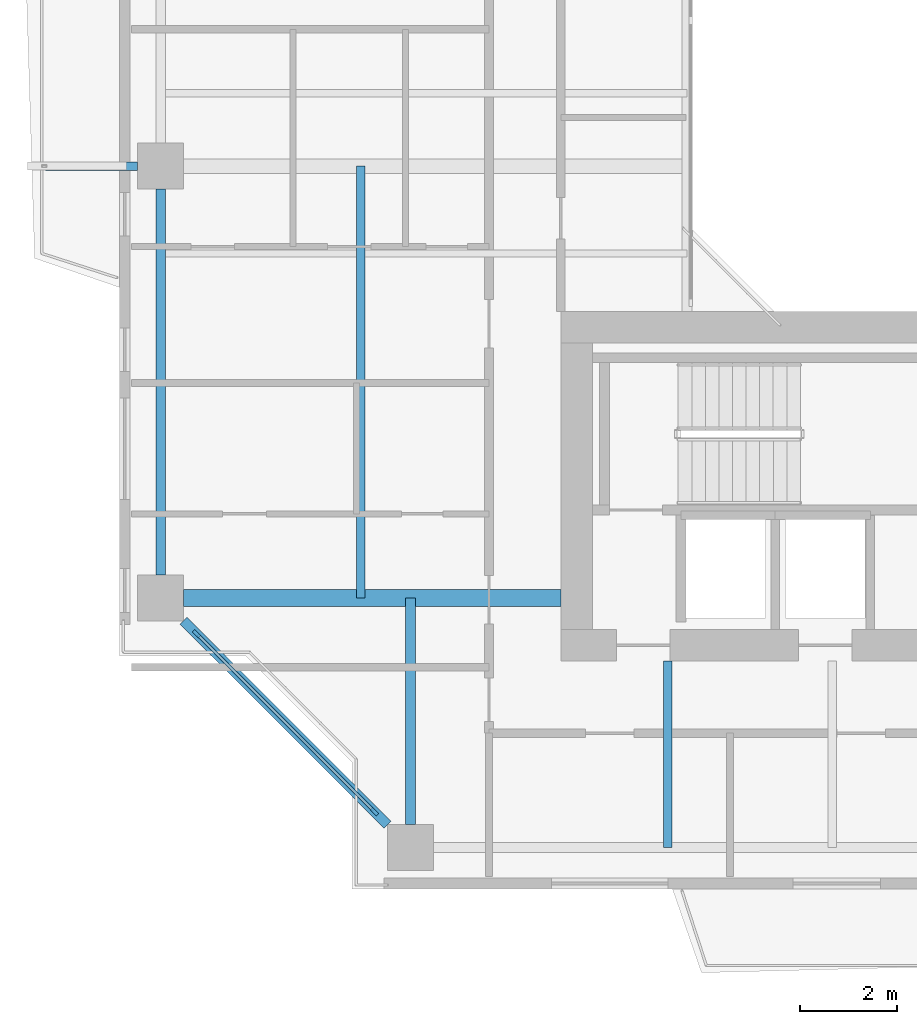
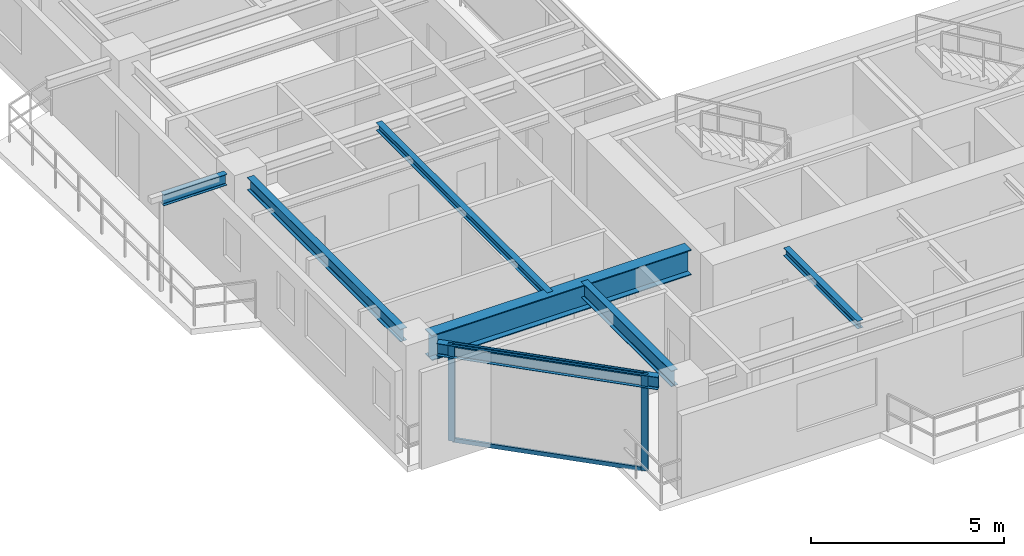
# One storey, part 2 of 18: 7 beams, 4 members, 1 element without a shape of its own.
"""IFC4 building model written with IfcOpenShell, lengths in metres."""

from ifc_helpers import new_model, si_unit, direction, frame, origin, origin_2d, place, context, subcontext, project, spatial, rectangle, i_section, extrude, source, transform, mapped, material, layer, layer_set, material_profile, profile_set, type_object, element, aggregate, save


model = new_model("IFC4")

# Units and contexts
model_context = context("Model", 3, precision=1e-05, world=origin(), true_north=direction((0.0, 1.0)))
body_context = subcontext(model_context, "Body", "Model", "MODEL_VIEW")
ifc_project = project(units=[si_unit("LENGTHUNIT", "METRE"), si_unit("AREAUNIT", "SQUARE_METRE"), si_unit("VOLUMEUNIT", "CUBIC_METRE"), si_unit("PLANEANGLEUNIT", "RADIAN"), si_unit("MASSUNIT", "GRAM", prefix="KILO"), si_unit("THERMODYNAMICTEMPERATUREUNIT", "KELVIN"), si_unit("POWERUNIT", "WATT")], contexts=[model_context])

# Site, building, storey
site_placement = place(None, origin())
site = spatial("IfcSite", under=ifc_project, at=site_placement, CompositionType="ELEMENT")
building_placement = place(site_placement, origin())
building = spatial("IfcBuilding", under=site, at=building_placement, Name="Qiaomeng Ring Towers", CompositionType="ELEMENT")
storey_placement = place(building_placement, frame((0.0, 0.0, 179.5)))
storey = spatial("IfcBuildingStorey", under=building, at=storey_placement, Name="L52", CompositionType="ELEMENT", Elevation=179.5)

# Beams
ifc_material_1 = material(Name="Steel Q355B", Category="steel")
ifc_material_profile_1 = material_profile(ifc_material_1, i_section(OverallWidth=0.175048828125, OverallDepth=0.243896484375, WebThickness=0.007080078125, FlangeThickness=0.010986328125, FilletRadius=0.01611328125, at=origin_2d()), Name="HM 244x175x7x11")
ifc_profile_set_1 = profile_set([ifc_material_profile_1], Name="Steel Q355B")
beam_type_1 = type_object("IfcBeamType", Name="STR-BM-HM244", PredefinedType="JOIST", material=ifc_profile_set_1)
shared_shape_1 = source(origin(), body_context, "Body", "SweptSolid", [
    extrude(i_section(OverallWidth=0.175048828125, OverallDepth=0.243896484375, WebThickness=0.007080078125, FlangeThickness=0.010986328125, FilletRadius=0.01611328125, at=origin_2d()), origin(), (0.0, 0.0, 1.0), 3.85009765625),
])
beam_1_placement = place(storey_placement, frame((12.39990234375, 5.949951171875, 2.947998046875), z_axis=(0.0, 1.0, 0.0), x_axis=(-1.0, 0.0, 0.0)))
element("IfcBeam", 1, at=beam_1_placement, inside=storey, type_object=beam_type_1, Name="L52 beam STR-JST-L52-T1S-1", PredefinedType="JOIST", context=body_context, shape_type="MappedRepresentation", body=[
    mapped(shared_shape_1, transform((0.0, 0.0, 0.0), x_axis=(1.0, 0.0, 0.0), y_axis=(0.0, 1.0, 0.0), z_axis=(0.0, 0.0, 1.0), scale=1.0)),
])
shared_shape_2 = source(origin(), body_context, "Body", "SweptSolid", [
    extrude(i_section(OverallWidth=0.175048828125, OverallDepth=0.243896484375, WebThickness=0.007080078125, FlangeThickness=0.010986328125, FilletRadius=0.01611328125, at=origin_2d()), origin(), (0.0, 0.0, 1.0), 8.89990234375),
])
beam_2_placement = place(storey_placement, frame((6.074951171875, 11.10009765625, 2.947998046875), z_axis=(0.0, 1.0, 0.0), x_axis=(-1.0, 0.0, 0.0)))
element("IfcBeam", 2, at=beam_2_placement, inside=storey, type_object=beam_type_1, Name="L52 beam STR-JST-L52-T1C-WS", PredefinedType="JOIST", context=body_context, shape_type="MappedRepresentation", body=[
    mapped(shared_shape_2, transform((0.0, 0.0, 0.0), x_axis=(1.0, 0.0, 0.0), y_axis=(0.0, 1.0, 0.0), z_axis=(0.0, 0.0, 1.0), scale=1.0)),
])
ifc_material_profile_2 = material_profile(ifc_material_1, i_section(OverallWidth=0.199951171875, OverallDepth=0.39990234375, WebThickness=0.008056640625, FlangeThickness=0.012939453125, FilletRadius=0.01611328125, at=origin_2d()), Name="HN 400x200x8x13")
ifc_profile_set_2 = profile_set([ifc_material_profile_2], Name="Steel Q355B")
beam_type_2 = type_object("IfcBeamType", Name="STR-BM-HN400", PredefinedType="SPANDREL", material=ifc_profile_set_2)
shared_shape_3 = source(origin(), body_context, "Body", "SweptSolid", [
    extrude(i_section(OverallWidth=0.199951171875, OverallDepth=0.39990234375, WebThickness=0.008056640625, FlangeThickness=0.012939453125, FilletRadius=0.01611328125, at=origin_2d()), origin(), (0.0, 0.0, 1.0), 5.941650390625),
])
beam_3_placement = place(storey_placement, frame((2.42431640625, 10.625732421875, 2.8701171875), z_axis=(0.707106781187, -0.707106781187, 0.0), x_axis=(0.707106781187, 0.707106781187, 0.0)))
element("IfcBeam", 3, at=beam_3_placement, inside=storey, type_object=beam_type_2, Name="L52 beam STR-SP-L52-T1-W1-S1", PredefinedType="SPANDREL", context=body_context, shape_type="MappedRepresentation", body=[
    mapped(shared_shape_3, transform((0.0, 0.0, 0.0), x_axis=(1.0, 0.0, 0.0), y_axis=(0.0, 1.0, 0.0), z_axis=(0.0, 0.0, 1.0), scale=1.0)),
])
shared_shape_4 = source(origin(), body_context, "Body", "SweptSolid", [
    extrude(i_section(OverallWidth=0.199951171875, OverallDepth=0.39990234375, WebThickness=0.008056640625, FlangeThickness=0.012939453125, FilletRadius=0.01611328125, at=origin_2d()), origin(), (0.0, 0.0, 1.0), 7.951904296875),
])
beam_4_placement = place(storey_placement, frame((1.949951171875, 19.52587890625, 2.8701171875), z_axis=(0.0, -1.0, 0.0), x_axis=(1.0, 0.0, 0.0)))
element("IfcBeam", 4, at=beam_4_placement, inside=storey, type_object=beam_type_2, Name="L52 beam STR-SP-L52-T1-W2-W1", PredefinedType="SPANDREL", context=body_context, shape_type="MappedRepresentation", body=[
    mapped(shared_shape_4, transform((0.0, 0.0, 0.0), x_axis=(1.0, 0.0, 0.0), y_axis=(0.0, 1.0, 0.0), z_axis=(0.0, 0.0, 1.0), scale=1.0)),
])
ifc_material_2 = material(Name="Steel Q390GJC", Category="steel")
ifc_material_profile_3 = material_profile(ifc_material_2, i_section(OverallWidth=0.35009765625, OverallDepth=0.800048828125, WebThickness=0.01611328125, FlangeThickness=0.028076171875, at=origin_2d()), Name="WH 800x350x16x28")
ifc_profile_set_3 = profile_set([ifc_material_profile_3], Name="Steel Q390GJC")
beam_type_3 = type_object("IfcBeamType", Name="STR-BM-WH800", PredefinedType="BEAM", material=ifc_profile_set_3)
shared_shape_5 = source(origin(), body_context, "Body", "SweptSolid", [
    extrude(i_section(OverallWidth=0.35009765625, OverallDepth=0.800048828125, WebThickness=0.01611328125, FlangeThickness=0.028076171875, at=origin_2d()), origin(), (0.0, 0.0, 1.0), 7.77587890625),
])
beam_5_placement = place(storey_placement, frame((2.424072265625, 11.10009765625, 2.669921875), z_axis=(1.0, 0.0, 0.0), x_axis=(0.0, 1.0, 0.0)))
element("IfcBeam", 5, at=beam_5_placement, inside=storey, type_object=beam_type_3, Name="L52 beam STR-BM-L52-T1-RAD-W1", PredefinedType="BEAM", context=body_context, shape_type="MappedRepresentation", body=[
    mapped(shared_shape_5, transform((0.0, 0.0, 0.0), x_axis=(1.0, 0.0, 0.0), y_axis=(0.0, 1.0, 0.0), z_axis=(0.0, 0.0, 1.0), scale=1.0)),
])
ifc_material_profile_4 = material_profile(ifc_material_1, i_section(OverallWidth=0.199951171875, OverallDepth=0.5, WebThickness=0.010009765625, FlangeThickness=0.01611328125, FilletRadius=0.02001953125, at=origin_2d()), Name="HN 500x200x10x16")
ifc_profile_set_4 = profile_set([ifc_material_profile_4], Name="Steel Q355B")
beam_type_4 = type_object("IfcBeamType", Name="STR-BM-HN500", PredefinedType="BEAM", material=ifc_profile_set_4)
shared_shape_6 = source(origin(), body_context, "Body", "SweptSolid", [
    extrude(i_section(OverallWidth=0.199951171875, OverallDepth=0.5, WebThickness=0.010009765625, FlangeThickness=0.01611328125, FilletRadius=0.02001953125, at=origin_2d()), origin(), (0.0, 0.0, 1.0), 4.676025390625),
])
beam_6_placement = place(storey_placement, frame((7.10009765625, 6.424072265625, 2.820068359375), z_axis=(0.0, 1.0, 0.0), x_axis=(-1.0, 0.0, 0.0)))
element("IfcBeam", 6, at=beam_6_placement, inside=storey, type_object=beam_type_4, Name="L52 beam STR-BM-L52-T1-RAD-S1", PredefinedType="BEAM", context=body_context, shape_type="MappedRepresentation", body=[
    mapped(shared_shape_6, transform((0.0, 0.0, 0.0), x_axis=(1.0, 0.0, 0.0), y_axis=(0.0, 1.0, 0.0), z_axis=(0.0, 0.0, 1.0), scale=1.0)),
])
ifc_material_profile_5 = material_profile(ifc_material_1, i_section(OverallWidth=0.175048828125, OverallDepth=0.35009765625, WebThickness=0.007080078125, FlangeThickness=0.010986328125, FilletRadius=0.013916015625, at=origin_2d()), Name="HN 350x175x7x11")
ifc_profile_set_5 = profile_set([ifc_material_profile_5], Name="Steel Q355B")
beam_type_5 = type_object("IfcBeamType", Name="STR-BM-HN350", PredefinedType="JOIST", material=ifc_profile_set_5)
shared_shape_7 = source(origin(), body_context, "Body", "SweptSolid", [
    extrude(i_section(OverallWidth=0.175048828125, OverallDepth=0.35009765625, WebThickness=0.007080078125, FlangeThickness=0.010986328125, FilletRadius=0.013916015625, at=origin_2d()), origin(), (0.0, 0.0, 1.0), 1.89599609375),
])
beam_7_placement = place(storey_placement, frame((-0.419921875, 20.0, 2.89501953125), z_axis=(1.0, 0.0, 0.0), x_axis=(0.0, 1.0, 0.0)))
element("IfcBeam", 7, at=beam_7_placement, inside=storey, type_object=beam_type_5, Name="L52 beam STR-BALBM-L52-W2", PredefinedType="JOIST", context=body_context, shape_type="MappedRepresentation", body=[
    mapped(shared_shape_7, transform((0.0, 0.0, 0.0), x_axis=(1.0, 0.0, 0.0), y_axis=(0.0, 1.0, 0.0), z_axis=(0.0, 0.0, 1.0), scale=1.0)),
])

# Curtain wall, members
ifc_material_3 = material(Name="Fluorocarbon dark-grey aluminium", Category="aluminium")
ifc_layer = layer(ifc_material_3, 0.14990234375, Name="Fluorocarbon dark-grey aluminium")
ifc_layer_set = layer_set([ifc_layer], Name="Fluorocarbon dark-grey aluminium")
curtain_wall_type = type_object("IfcCurtainWallType", Name="ARC-CW-3", PredefinedType="NOTDEFINED", material=ifc_layer_set)
curtain_wall_placement = place(storey_placement, origin())
curtain_wall = element("IfcCurtainWall", 8, at=curtain_wall_placement, inside=storey, type_object=curtain_wall_type, Name="L52 Curtain Wall CW3", PredefinedType="NOTDEFINED")
ifc_material_profile_6 = material_profile(ifc_material_3, rectangle(XDim=0.070068359375, YDim=0.179931640625, at=origin_2d()), Name="ALU MULL 70x180")
ifc_profile_set_6 = profile_set([ifc_material_profile_6], Name="Fluorocarbon dark-grey aluminium")
member_type_1 = type_object("IfcMemberType", Name="ARC-CWM-160", PredefinedType="MULLION", material=ifc_profile_set_6)
shared_shape_8 = source(origin(), body_context, "Body", "SweptSolid", [
    extrude(rectangle(XDim=0.070068359375, YDim=0.179931640625, at=origin_2d()), origin(), (0.0, 0.0, 1.0), 3.070068359375),
])
member_1_placement = place(storey_placement, frame((2.689697265625, 10.3603515625, 0.0), z_axis=(0.0, 0.0, 1.0), x_axis=(0.707106781187, 0.707106781187, 0.0)))
member_1 = element("IfcMember", 9, at=member_1_placement, type_object=member_type_1, Name="CW3 mullion 1", PredefinedType="MULLION", context=body_context, shape_type="MappedRepresentation", body=[
    mapped(shared_shape_8, transform((0.0, 0.0, 0.0), x_axis=(1.0, 0.0, 0.0), y_axis=(0.0, 1.0, 0.0), z_axis=(0.0, 0.0, 1.0), scale=1.0)),
])
member_2_placement = place(storey_placement, frame((6.3603515625, 6.689697265625, 0.0), z_axis=(0.0, 0.0, 1.0), x_axis=(0.707106781187, 0.707106781187, 0.0)))
member_2 = element("IfcMember", 10, at=member_2_placement, type_object=member_type_1, Name="CW3 mullion 2", PredefinedType="MULLION", context=body_context, shape_type="MappedRepresentation", body=[
    mapped(shared_shape_8, transform((0.0, 0.0, 0.0), x_axis=(1.0, 0.0, 0.0), y_axis=(0.0, 1.0, 0.0), z_axis=(0.0, 0.0, 1.0), scale=1.0)),
])
ifc_material_profile_7 = material_profile(ifc_material_3, rectangle(XDim=0.06494140625, YDim=0.1298828125, at=origin_2d()), Name="ALU TRAN 65x130")
ifc_profile_set_7 = profile_set([ifc_material_profile_7], Name="Fluorocarbon dark-grey aluminium")
member_type_2 = type_object("IfcMemberType", Name="ARC-CWT-120", PredefinedType="USERDEFINED", material=ifc_profile_set_7)
shared_shape_9 = source(origin(), body_context, "Body", "SweptSolid", [
    extrude(rectangle(XDim=0.06494140625, YDim=0.1298828125, at=origin_2d()), origin(), (0.0, 0.0, 1.0), 5.12060546875),
])
member_3_placement = place(storey_placement, frame((2.714599609375, 10.33544921875, 0.032470703125), z_axis=(0.707106781187, -0.707106781187, 0.0), x_axis=(0.707106781187, 0.707106781187, 0.0)))
member_3 = element("IfcMember", 11, at=member_3_placement, type_object=member_type_2, Name="CW3 transom 1.1", ObjectType="TRANSOM", PredefinedType="USERDEFINED", context=body_context, shape_type="MappedRepresentation", body=[
    mapped(shared_shape_9, transform((0.0, 0.0, 0.0), x_axis=(1.0, 0.0, 0.0), y_axis=(0.0, 1.0, 0.0), z_axis=(0.0, 0.0, 1.0), scale=1.0)),
])
member_4_placement = place(storey_placement, frame((2.714599609375, 10.33544921875, 3.03759765625), z_axis=(0.707106781187, -0.707106781187, 0.0), x_axis=(0.707106781187, 0.707106781187, 0.0)))
member_4 = element("IfcMember", 12, at=member_4_placement, type_object=member_type_2, Name="CW3 transom 1.2", ObjectType="TRANSOM", PredefinedType="USERDEFINED", context=body_context, shape_type="MappedRepresentation", body=[
    mapped(shared_shape_9, transform((0.0, 0.0, 0.0), x_axis=(1.0, 0.0, 0.0), y_axis=(0.0, 1.0, 0.0), z_axis=(0.0, 0.0, 1.0), scale=1.0)),
])
aggregate(curtain_wall, [member_1, member_2, member_3, member_4])

save(model, "model.ifc")
